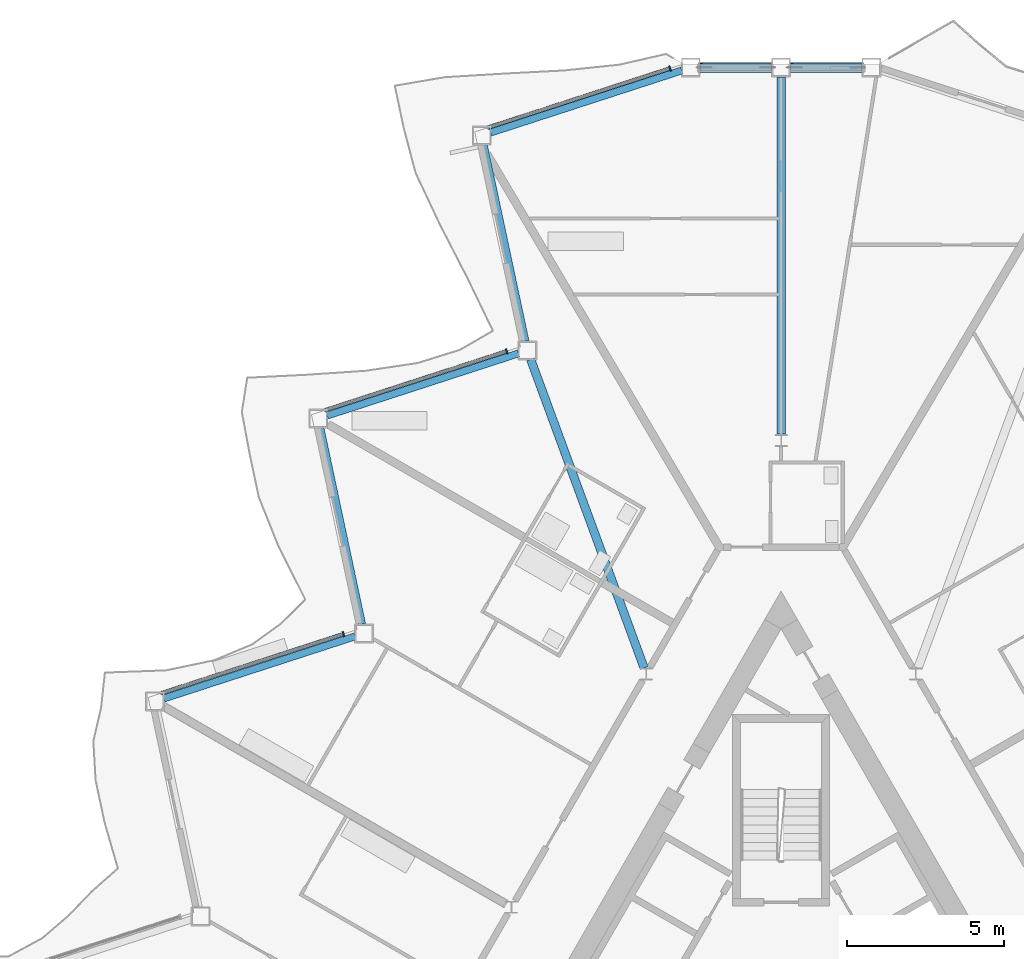
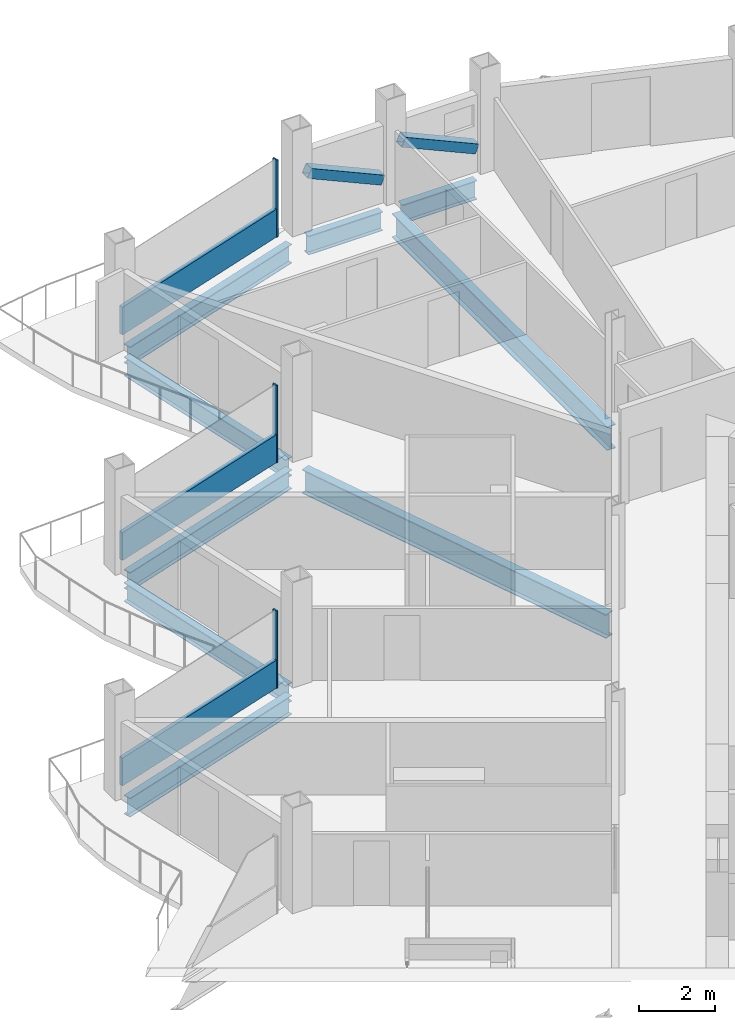
# One storey, part 10 of 27: 9 beams, 8 members, 3 elements without a shape of their own.
"""IFC4 building model written with IfcOpenShell, lengths in metres."""

from ifc_helpers import new_model, si_unit, direction, frame, origin, origin_2d, place, context, subcontext, project, spatial, rectangle, hollow_rectangle, i_section, extrude, material, layer, layer_set, material_profile, profile_set, type_object, element, aggregate, save


model = new_model("IFC4")

# Units and contexts
model_context = context("Model", 3, precision=1e-05, world=origin(), true_north=direction((0.0, 1.0)))
body_context = subcontext(model_context, "Body", "Model", "MODEL_VIEW")
ifc_project = project(units=[si_unit("LENGTHUNIT", "METRE"), si_unit("AREAUNIT", "SQUARE_METRE"), si_unit("VOLUMEUNIT", "CUBIC_METRE"), si_unit("PLANEANGLEUNIT", "RADIAN"), si_unit("MASSUNIT", "GRAM", prefix="KILO")], contexts=[model_context])

# Site, building, storey
site_placement = place(None, origin())
site = spatial("IfcSite", under=ifc_project, at=site_placement, CompositionType="ELEMENT")
building_placement = place(site_placement, origin())
building = spatial("IfcBuilding", under=site, at=building_placement, Name="Cormorant Prow Tower", CompositionType="ELEMENT")
storey_placement = place(building_placement, frame((0.0, 0.0, 332.39990234375)))
storey = spatial("IfcBuildingStorey", under=building, at=storey_placement, Name="L74", CompositionType="ELEMENT", Elevation=332.39990234375)

# Members
ifc_material_1 = material(Name="Structural steel ASTM A500 Gr C", Category="steel")
ifc_material_profile_1 = material_profile(ifc_material_1, hollow_rectangle(XDim=0.3046875, YDim=0.3046875, WallThickness=0.01171875, at=origin_2d()), Name="HSS12x12x1/2")
ifc_profile_set_1 = profile_set([ifc_material_profile_1], Name="Structural steel ASTM A500 Gr C")
member_type_1 = type_object("IfcMemberType", Name="Chamfer brace HSS12x12x1/2", PredefinedType="BRACE", material=ifc_profile_set_1)
for number, where, z_axis, x_axis, name in (
    (1, (2.55908203125, 31.676025390625, 0.7412109375), (-0.91256681832, 0.0, 0.408927624528), (0.0, -1.0, 0.0), "Chamfer brace BR3 at N00 L74"),
    (2, (-0.31494140625, 31.676025390625, 0.7412109375), (-0.91256681832, 0.0, 0.408927624528), (0.0, -1.0, 0.0), "Chamfer brace BR3 at N01 L74"),
):
    element("IfcMember", number, at=place(storey_placement, frame(where, z_axis=z_axis, x_axis=x_axis)), inside=storey, type_object=member_type_1, Name=name, PredefinedType="BRACE", context=body_context, shape_type="SweptSolid", body=[
        extrude(hollow_rectangle(XDim=0.3046875, YDim=0.3046875, WallThickness=0.01171875, at=origin_2d()), origin(), (0.0, 0.0, 1.0), 2.459228515625),
    ])

# Beams
ifc_material_2 = material(Name="Structural steel ASTM A992 Gr 50", Category="steel")
ifc_material_profile_2 = material_profile(ifc_material_2, i_section(OverallWidth=0.267822265625, OverallDepth=0.77001953125, WebThickness=0.015625, FlangeThickness=0.025390625, at=origin_2d()), Name="W30x132")
ifc_profile_set_2 = profile_set([ifc_material_profile_2], Name="Structural steel ASTM A992 Gr 50")
beam_type_1 = type_object("IfcBeamType", Name="Radial floor beam W30x132", PredefinedType="BEAM", material=ifc_profile_set_2)
beam_1_placement = place(storey_placement, frame((0.0, 20.0087890625, -0.684814453125), z_axis=(0.0, 1.0, 0.0), x_axis=(-1.0, 0.0, 0.0)))
element("IfcBeam", 3, at=beam_1_placement, inside=storey, type_object=beam_type_1, Name="Radial floor beam FB3 1 L74", PredefinedType="BEAM", context=body_context, shape_type="SweptSolid", body=[
    extrude(i_section(OverallWidth=0.267822265625, OverallDepth=0.77001953125, WebThickness=0.015625, FlangeThickness=0.025390625, at=origin_2d()), origin(), (0.0, 0.0, 1.0), 11.3671875),
])
beam_2_placement = place(storey_placement, frame((-4.357421875, 12.5673828125, -0.684814453125), z_axis=(-0.345131226703, 0.938554439739, 0.0), x_axis=(-0.938554439739, -0.345131226703, 0.0)))
element("IfcBeam", 4, at=beam_2_placement, inside=storey, type_object=beam_type_1, Name="Radial floor beam FB3 2 L74", PredefinedType="BEAM", context=body_context, shape_type="SweptSolid", body=[
    extrude(i_section(OverallWidth=0.267822265625, OverallDepth=0.77001953125, WebThickness=0.015625, FlangeThickness=0.025390625, at=origin_2d()), origin(), (0.0, 0.0, 1.0), 10.465087890625),
])

# Curtain wall, member
ifc_material_3 = material(Name="Aluminium 6063-T6", Category="aluminium")
ifc_layer = layer(ifc_material_3, 0.159912109375)
ifc_layer_set = layer_set([ifc_layer], Name="Aluminium 6063-T6")
curtain_wall_type = type_object("IfcCurtainWallType", Name="Residential unitised curtain wall 160", PredefinedType="NOTDEFINED", material=ifc_layer_set)
curtain_wall_1_placement = place(storey_placement, origin())
curtain_wall_1 = element("IfcCurtainWall", 5, at=curtain_wall_1_placement, inside=storey, type_object=curtain_wall_type, Name="Residential curtain wall WNW00", PredefinedType="NOTDEFINED")
ifc_material_4 = material(Name="Aluminium 6063-T6", Category="aluminium")
ifc_material_profile_3 = material_profile(ifc_material_4, rectangle(XDim=0.159912109375, YDim=0.050048828125, at=origin_2d()), Name="Residential mullion 50x160")
ifc_profile_set_3 = profile_set([ifc_material_profile_3], Name="Aluminium 6063-T6")
member_type_2 = type_object("IfcMemberType", Name="Residential mullion 50x160", PredefinedType="MULLION", material=ifc_profile_set_3)
member_1_placement = place(storey_placement, frame((-3.53466796875, 31.6474609375, 0.0), z_axis=(0.0, 0.0, 1.0), x_axis=(0.309016877816, -0.951056554167, 0.0)))
member_1 = element("IfcMember", 6, at=member_1_placement, type_object=member_type_2, Name="Residential mullion WNW00", PredefinedType="MULLION", context=body_context, shape_type="SweptSolid", body=[
    extrude(rectangle(XDim=0.159912109375, YDim=0.050048828125, at=origin_2d()), origin(), (0.0, 0.0, 1.0), 2.488037109375),
])

curtain_wall_2_placement = place(storey_placement, origin())
curtain_wall_2 = element("IfcCurtainWall", 7, at=curtain_wall_2_placement, inside=storey, type_object=curtain_wall_type, Name="Residential curtain wall WNW02", PredefinedType="NOTDEFINED")
member_2_placement = place(storey_placement, frame((-8.73095703125, 22.6474609375, 0.0), z_axis=(0.0, 0.0, 1.0), x_axis=(0.309017007173, -0.951056512137, 0.0)))
member_2 = element("IfcMember", 8, at=member_2_placement, type_object=member_type_2, Name="Residential mullion WNW02", PredefinedType="MULLION", context=body_context, shape_type="SweptSolid", body=[
    extrude(rectangle(XDim=0.159912109375, YDim=0.050048828125, at=origin_2d()), origin(), (0.0, 0.0, 1.0), 2.488037109375),
])

curtain_wall_3_placement = place(storey_placement, origin())
curtain_wall_3 = element("IfcCurtainWall", 9, at=curtain_wall_3_placement, inside=storey, type_object=curtain_wall_type, Name="Residential curtain wall WNW04", PredefinedType="NOTDEFINED")
member_3_placement = place(storey_placement, frame((-13.92724609375, 13.647216796875, 0.0), z_axis=(0.0, 0.0, 1.0), x_axis=(0.309017007173, -0.951056512137, 0.0)))
member_3 = element("IfcMember", 10, at=member_3_placement, type_object=member_type_2, Name="Residential mullion WNW04", PredefinedType="MULLION", context=body_context, shape_type="SweptSolid", body=[
    extrude(rectangle(XDim=0.159912109375, YDim=0.050048828125, at=origin_2d()), origin(), (0.0, 0.0, 1.0), 2.488037109375),
])

# Member
ifc_material_5 = material(Name="Terracotta", Category="masonry")
ifc_material_profile_4 = material_profile(ifc_material_5, rectangle(XDim=0.1201171875, YDim=0.89990234375, at=origin_2d()), Name="Residential terracotta spandrel rail 120x900")
ifc_profile_set_4 = profile_set([ifc_material_profile_4], Name="Terracotta")
member_type_3 = type_object("IfcMemberType", Name="Residential terracotta spandrel rail 120x900", PredefinedType="USERDEFINED", material=ifc_profile_set_4)
member_4_placement = place(storey_placement, frame((-3.558349609375, 31.639892578125, 0.4501953125), z_axis=(-0.951051493382, -0.309032452885, 0.0), x_axis=(0.309032452885, -0.951051493382, 0.0)))
member_4 = element("IfcMember", 11, at=member_4_placement, type_object=member_type_3, Name="Residential spandrel rail WNW00", ObjectType="TRANSOM", PredefinedType="USERDEFINED", context=body_context, shape_type="SweptSolid", body=[
    extrude(rectangle(XDim=0.1201171875, YDim=0.89990234375, at=origin_2d()), origin(), (0.0, 0.0, 1.0), 6.074462890625),
])

aggregate(curtain_wall_1, [member_1, member_4])

member_5_placement = place(storey_placement, frame((-8.754638671875, 22.6396484375, 0.4501953125), z_axis=(-0.951063305348, -0.308996099037, 0.0), x_axis=(0.308996099037, -0.951063305348, 0.0)))
member_5 = element("IfcMember", 12, at=member_5_placement, type_object=member_type_3, Name="Residential spandrel rail WNW02", ObjectType="TRANSOM", PredefinedType="USERDEFINED", context=body_context, shape_type="SweptSolid", body=[
    extrude(rectangle(XDim=0.1201171875, YDim=0.89990234375, at=origin_2d()), origin(), (0.0, 0.0, 1.0), 6.074462890625),
])

aggregate(curtain_wall_2, [member_2, member_5])

member_6_placement = place(storey_placement, frame((-13.950927734375, 13.639404296875, 0.4501953125), z_axis=(-0.951063305348, -0.308996099037, 0.0), x_axis=(0.308996099037, -0.951063305348, 0.0)))
member_6 = element("IfcMember", 13, at=member_6_placement, type_object=member_type_3, Name="Residential spandrel rail WNW04", ObjectType="TRANSOM", PredefinedType="USERDEFINED", context=body_context, shape_type="SweptSolid", body=[
    extrude(rectangle(XDim=0.1201171875, YDim=0.89990234375, at=origin_2d()), origin(), (0.0, 0.0, 1.0), 6.074462890625),
])

aggregate(curtain_wall_3, [member_3, member_6])

# Beams
ifc_material_6 = material(Name="Structural steel ASTM A992 Gr 50", Category="steel")
ifc_material_profile_5 = material_profile(ifc_material_6, i_section(OverallWidth=0.22900390625, OverallDepth=0.612060546875, WebThickness=0.011962890625, FlangeThickness=0.01953125, at=origin_2d()), Name="W24x84")
ifc_profile_set_5 = profile_set([ifc_material_profile_5], Name="Structural steel ASTM A992 Gr 50")
beam_type_2 = type_object("IfcBeamType", Name="Spandrel beam W24x84", PredefinedType="SPANDREL", material=ifc_profile_set_5)
for number, where, z_axis, x_axis, name in (
    (14, (2.57373046875, 31.676025390625, -0.60595703125), (-1.0, 0.0, 0.0), (0.0, -1.0, 0.0), "Spandrel beam SB3 N00-N01 L74"),
    (15, (-0.300048828125, 31.676025390625, -0.60595703125), (-1.0, 0.0, 0.0), (0.0, -1.0, 0.0), "Spandrel beam SB3 N01-WNW00 L74"),
):
    element("IfcBeam", number, at=place(storey_placement, frame(where, z_axis=z_axis, x_axis=x_axis)), inside=storey, type_object=beam_type_2, Name=name, PredefinedType="SPANDREL", context=body_context, shape_type="SweptSolid", body=[
        extrude(i_section(OverallWidth=0.22900390625, OverallDepth=0.612060546875, WebThickness=0.011962890625, FlangeThickness=0.01953125, at=origin_2d()), origin(), (0.0, 0.0, 1.0), 2.273681640625),
    ])
beam_3_placement = place(storey_placement, frame((-3.1591796875, 31.583251953125, -0.60595703125), z_axis=(-0.951064359156, -0.308992855489, 0.0), x_axis=(0.308992855489, -0.951064359156, 0.0)))
element("IfcBeam", 16, at=beam_3_placement, inside=storey, type_object=beam_type_2, Name="Spandrel beam SB3 WNW00-WNW01 L74", PredefinedType="SPANDREL", context=body_context, shape_type="SweptSolid", body=[
    extrude(i_section(OverallWidth=0.22900390625, OverallDepth=0.612060546875, WebThickness=0.011962890625, FlangeThickness=0.01953125, at=origin_2d()), origin(), (0.0, 0.0, 1.0), 6.39599609375),
])
beam_4_placement = place(storey_placement, frame((-9.465087890625, 29.220703125, -0.60595703125), z_axis=(0.20791262393, -0.978147402394, 0.0), x_axis=(0.978147402394, 0.20791262393, 0.0)))
element("IfcBeam", 17, at=beam_4_placement, inside=storey, type_object=beam_type_2, Name="Spandrel beam SB3 WNW01-WNW02 L74", PredefinedType="SPANDREL", context=body_context, shape_type="SweptSolid", body=[
    extrude(i_section(OverallWidth=0.22900390625, OverallDepth=0.612060546875, WebThickness=0.011962890625, FlangeThickness=0.01953125, at=origin_2d()), origin(), (0.0, 0.0, 1.0), 6.396240234375),
])
for number, where, z_axis, x_axis, name in (
    (18, (-8.358154296875, 22.578369140625, -0.60595703125), (-0.95105314132, -0.309027381286, 0.0), (0.309027381286, -0.95105314132, 0.0), "Spandrel beam SB3 WNW02-WNW03 L74"),
    (19, (-14.6640625, 20.215576171875, -0.60595703125), (0.207920386839, -0.978145752297, 0.0), (0.978145752297, 0.207920386839, 0.0), "Spandrel beam SB3 WNW03-WNW04 L74"),
    (20, (-13.557373046875, 13.5732421875, -0.60595703125), (-0.95105314132, -0.309027381286, 0.0), (0.309027381286, -0.95105314132, 0.0), "Spandrel beam SB3 WNW04-WNW05 L74"),
):
    element("IfcBeam", number, at=place(storey_placement, frame(where, z_axis=z_axis, x_axis=x_axis)), inside=storey, type_object=beam_type_2, Name=name, PredefinedType="SPANDREL", context=body_context, shape_type="SweptSolid", body=[
        extrude(i_section(OverallWidth=0.22900390625, OverallDepth=0.612060546875, WebThickness=0.011962890625, FlangeThickness=0.01953125, at=origin_2d()), origin(), (0.0, 0.0, 1.0), 6.39599609375),
    ])

save(model, "model.ifc")
